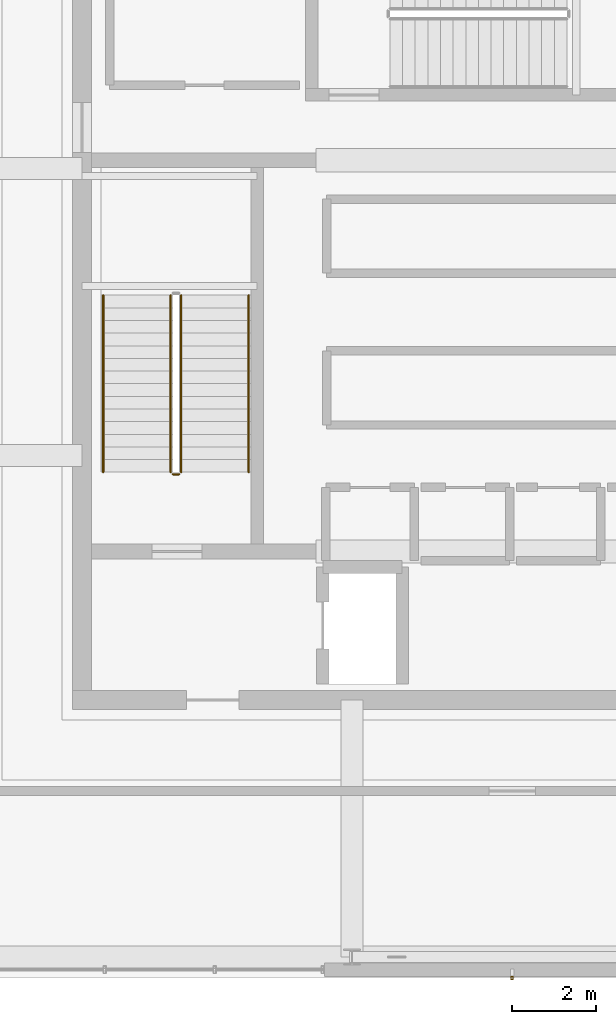
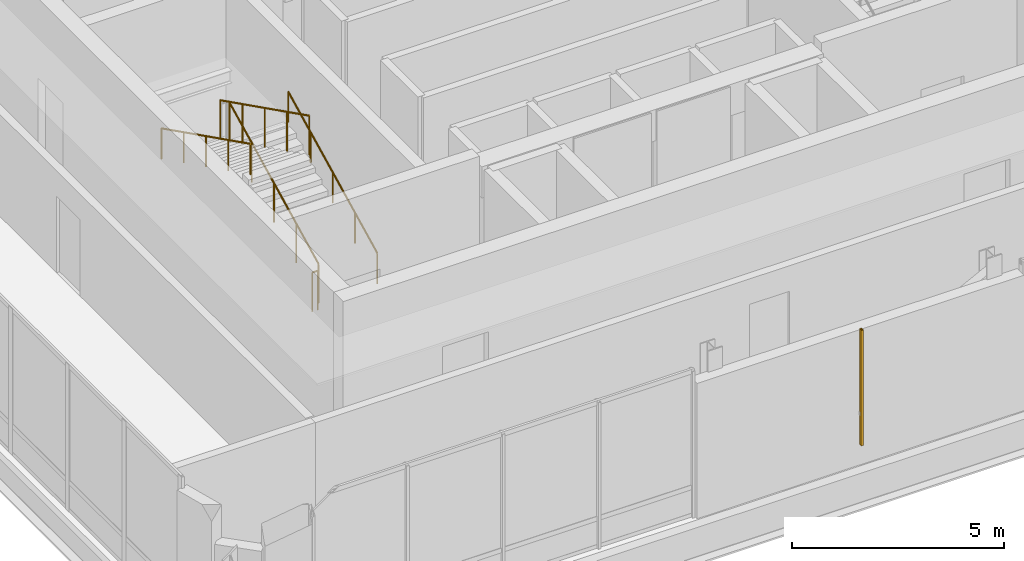
# One storey, part 23 of 25: 5 railings, 1 shading device.
"""IFC4 building model written with IfcOpenShell, lengths in metres."""

from ifc_helpers import new_model, si_unit, direction, frame, origin, origin_2d, place, context, subcontext, project, spatial, hollow_rectangle, circle, extrude, material, material_profile, profile_set, type_object, element, save


model = new_model("IFC4")

# Units and contexts
model_context = context("Model", 3, precision=1e-05, world=origin(), true_north=direction((0.0, 1.0)))
body_context = subcontext(model_context, "Body", "Model", "MODEL_VIEW")
ifc_project = project(units=[si_unit("LENGTHUNIT", "METRE"), si_unit("AREAUNIT", "SQUARE_METRE"), si_unit("VOLUMEUNIT", "CUBIC_METRE"), si_unit("PLANEANGLEUNIT", "RADIAN"), si_unit("MASSUNIT", "GRAM", prefix="KILO")], contexts=[model_context])

# Site, building, storey
site_placement = place(None, origin())
site = spatial("IfcSite", under=ifc_project, at=site_placement, CompositionType="ELEMENT")
building_placement = place(site_placement, origin())
building = spatial("IfcBuilding", under=site, at=building_placement, Name="Punatoya Terracotta Tower", CompositionType="ELEMENT")
storey_placement = place(building_placement, frame((0.0, 0.0, 357.300048828125)))
storey = spatial("IfcBuildingStorey", under=building, at=storey_placement, Name="L84", CompositionType="ELEMENT", Elevation=357.300048828125)

# Railings
ifc_material_1 = material(Name="Steel S355", Category="steel")
railing_type_1 = type_object("IfcRailingType", Name="RLG-GRD-1150", PredefinedType="GUARDRAIL", material=ifc_material_1)
railing_1_placement = place(storey_placement, frame((-7.85009765625, -3.800048828125, 0.14990234375)))
element("IfcRailing", 1, at=railing_1_placement, inside=storey, type_object=railing_type_1, Name="L84 ST-1 stair guard 1", PredefinedType="GUARDRAIL", context=body_context, shape_type="SweptSolid", body=[
    extrude(circle(Radius=0.02392578125, at=origin_2d()), frame((0.0, 0.0, 1.1259765625), z_axis=(0.0, 0.894416792377, 0.447234392142), x_axis=(-1.0, 0.0, 0.0)), (0.0, 0.0, 1.0), 4.69580078125),
    extrude(circle(Radius=0.02099609375, at=origin_2d()), origin(), (0.0, 0.0, 1.0), 1.101806640625),
    extrude(circle(Radius=0.02099609375, at=origin_2d()), frame((0.0, 1.050048828125, 0.52490234375)), (0.0, 0.0, 1.0), 1.101806640625),
    extrude(circle(Radius=0.02099609375, at=origin_2d()), frame((0.0, 2.10009765625, 1.050048828125)), (0.0, 0.0, 1.0), 1.101806640625),
    extrude(circle(Radius=0.02099609375, at=origin_2d()), frame((0.0, 3.14990234375, 1.5751953125)), (0.0, 0.0, 1.0), 1.101806640625),
    extrude(circle(Radius=0.02099609375, at=origin_2d()), frame((0.0, 4.199951171875, 2.10009765625)), (0.0, 0.0, 1.0), 1.101806640625),
])
railing_2_placement = place(storey_placement, frame((-8.10009765625, 0.39990234375, 2.39990234375)))
element("IfcRailing", 2, at=railing_2_placement, inside=storey, type_object=railing_type_1, Name="L84 ST-1 stair guard 3", PredefinedType="GUARDRAIL", context=body_context, shape_type="SweptSolid", body=[
    extrude(circle(Radius=0.02392578125, at=origin_2d()), frame((0.0, 0.0, 1.1259765625), z_axis=(0.0, -0.894416792377, 0.447234392142), x_axis=(1.0, 0.0, 0.0)), (0.0, 0.0, 1.0), 4.69580078125),
    extrude(circle(Radius=0.02099609375, at=origin_2d()), origin(), (0.0, 0.0, 1.0), 1.101806640625),
    extrude(circle(Radius=0.02099609375, at=origin_2d()), frame((0.0, -1.050048828125, 0.52490234375)), (0.0, 0.0, 1.0), 1.101806640625),
    extrude(circle(Radius=0.02099609375, at=origin_2d()), frame((0.0, -2.10009765625, 1.050048828125)), (0.0, 0.0, 1.0), 1.101806640625),
    extrude(circle(Radius=0.02099609375, at=origin_2d()), frame((0.0, -3.14990234375, 1.5751953125)), (0.0, 0.0, 1.0), 1.101806640625),
    extrude(circle(Radius=0.02099609375, at=origin_2d()), frame((0.0, -4.199951171875, 2.10009765625)), (0.0, 0.0, 1.0), 1.101806640625),
])
railing_3_placement = place(storey_placement, frame((-7.89990234375, -3.85009765625, 0.0)))
element("IfcRailing", 3, at=railing_3_placement, inside=storey, type_object=railing_type_1, Name="L84 ST-1 stair guard 4", PredefinedType="GUARDRAIL", context=body_context, shape_type="SweptSolid", body=[
    extrude(circle(Radius=0.02392578125, at=origin_2d()), frame((0.0, 0.0, 1.1259765625), z_axis=(-1.0, 0.0, 0.0), x_axis=(0.0, -1.0, 0.0)), (0.0, 0.0, 1.0), 0.150146484375),
    extrude(circle(Radius=0.02099609375, at=origin_2d()), origin(), (0.0, 0.0, 1.0), 1.101806640625),
    extrude(circle(Radius=0.02099609375, at=origin_2d()), frame((-0.150146484375, 0.0, 0.0)), (0.0, 0.0, 1.0), 1.101806640625),
])
railing_type_2 = type_object("IfcRailingType", Name="RLG-HND-900", PredefinedType="HANDRAIL", material=ifc_material_1)
railing_4_placement = place(storey_placement, frame((-6.25, -3.800048828125, 0.14990234375)))
element("IfcRailing", 4, at=railing_4_placement, inside=storey, type_object=railing_type_2, Name="L84 ST-1 stair handrail 1", PredefinedType="HANDRAIL", context=body_context, shape_type="SweptSolid", body=[
    extrude(circle(Radius=0.02392578125, at=origin_2d()), frame((0.0, 0.0, 0.8759765625), z_axis=(0.0, 0.894416792377, 0.447234392142), x_axis=(-1.0, 0.0, 0.0)), (0.0, 0.0, 1.0), 4.69580078125),
    extrude(circle(Radius=0.02099609375, at=origin_2d()), origin(), (0.0, 0.0, 1.0), 0.851806640625),
    extrude(circle(Radius=0.02099609375, at=origin_2d()), frame((0.0, 1.050048828125, 0.52490234375)), (0.0, 0.0, 1.0), 0.851806640625),
    extrude(circle(Radius=0.02099609375, at=origin_2d()), frame((0.0, 2.10009765625, 1.050048828125)), (0.0, 0.0, 1.0), 0.851806640625),
    extrude(circle(Radius=0.02099609375, at=origin_2d()), frame((0.0, 3.14990234375, 1.5751953125)), (0.0, 0.0, 1.0), 0.851806640625),
    extrude(circle(Radius=0.02099609375, at=origin_2d()), frame((0.0, 4.199951171875, 2.10009765625)), (0.0, 0.0, 1.0), 0.851806640625),
])
railing_5_placement = place(storey_placement, frame((-9.699951171875, 0.39990234375, 2.39990234375)))
element("IfcRailing", 5, at=railing_5_placement, inside=storey, type_object=railing_type_2, Name="L84 ST-1 stair handrail 2", PredefinedType="HANDRAIL", context=body_context, shape_type="SweptSolid", body=[
    extrude(circle(Radius=0.02392578125, at=origin_2d()), frame((0.0, 0.0, 0.8759765625), z_axis=(0.0, -0.894416792377, 0.447234392142), x_axis=(1.0, 0.0, 0.0)), (0.0, 0.0, 1.0), 4.69580078125),
    extrude(circle(Radius=0.02099609375, at=origin_2d()), origin(), (0.0, 0.0, 1.0), 0.851806640625),
    extrude(circle(Radius=0.02099609375, at=origin_2d()), frame((0.0, -1.050048828125, 0.52490234375)), (0.0, 0.0, 1.0), 0.851806640625),
    extrude(circle(Radius=0.02099609375, at=origin_2d()), frame((0.0, -2.10009765625, 1.050048828125)), (0.0, 0.0, 1.0), 0.851806640625),
    extrude(circle(Radius=0.02099609375, at=origin_2d()), frame((0.0, -3.14990234375, 1.5751953125)), (0.0, 0.0, 1.0), 0.851806640625),
    extrude(circle(Radius=0.02099609375, at=origin_2d()), frame((0.0, -4.199951171875, 2.10009765625)), (0.0, 0.0, 1.0), 0.851806640625),
])

# Shading device
ifc_material_2 = material(Name="Architectural Fired Terracotta", Category="masonry")
ifc_material_profile = material_profile(ifc_material_2, hollow_rectangle(XDim=0.06005859375, YDim=0.090087890625, WallThickness=0.013916015625, at=origin_2d()))
ifc_profile_set = profile_set([ifc_material_profile], Name="Architectural Fired Terracotta")
shading_device_type = type_object("IfcShadingDeviceType", Name="SHD-JALI-90", PredefinedType="JALOUSIE", material=ifc_profile_set)
shading_device_placement = place(storey_placement, frame((0.0, -15.800048828125, 0.599853515625), z_axis=(0.0, 0.0, 1.0), x_axis=(1.0, 0.0, 0.0)))
element("IfcShadingDevice", 6, at=shading_device_placement, inside=storey, type_object=shading_device_type, Name="L84 Braced Bay Terracotta Jali Fin S1", PredefinedType="JALOUSIE", context=body_context, shape_type="SweptSolid", body=[
    extrude(hollow_rectangle(XDim=0.06005859375, YDim=0.090087890625, WallThickness=0.013916015625, at=origin_2d()), origin(), (0.0, 0.0, 1.0), 3.320068359375),
])

save(model, "model.ifc")
